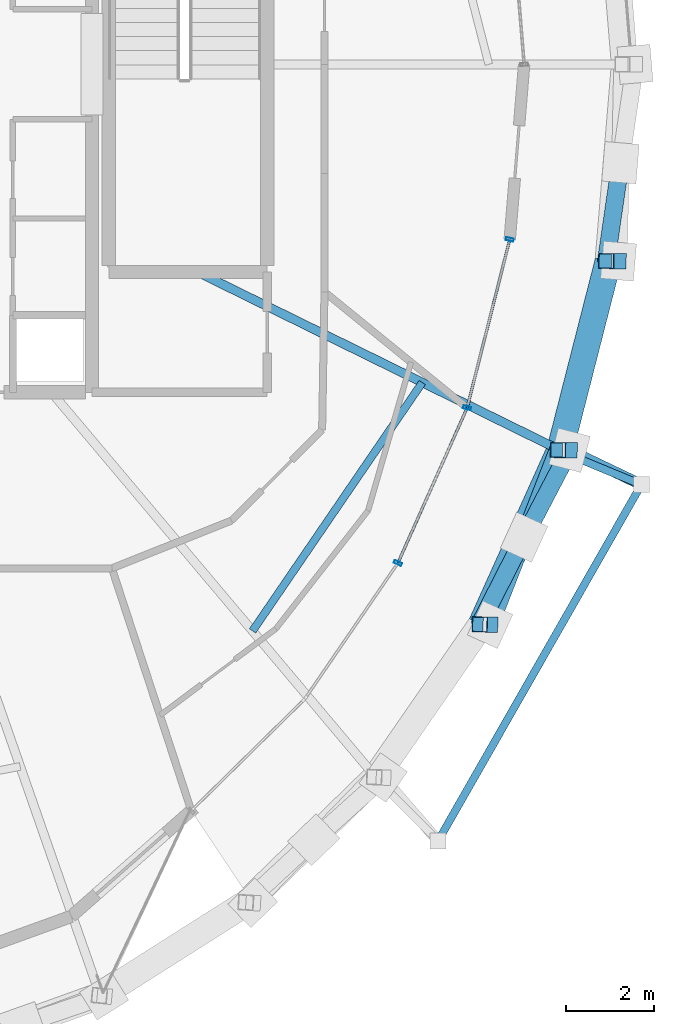
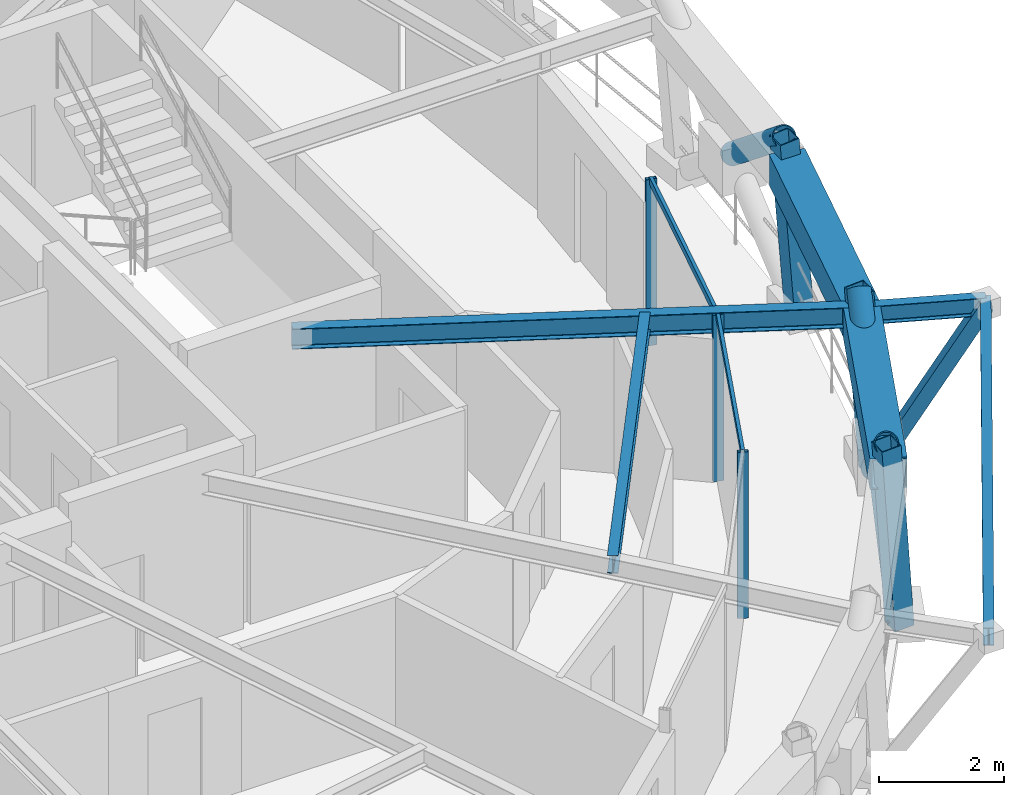
# One storey, part 4 of 14: 13 members, 6 beams, 1 element without a shape of its own.
"""IFC4 building model written with IfcOpenShell, lengths in metres."""

from ifc_helpers import new_model, si_unit, direction, frame, origin, origin_2d, place, context, subcontext, project, spatial, hollow_rectangle, hollow_circle, i_section, extrude, material, layer, layer_set, material_profile, profile_set, type_object, element, aggregate, save


model = new_model("IFC4")

# Units and contexts
model_context = context("Model", 3, precision=1e-05, world=origin(), true_north=direction((0.0, 1.0)))
body_context = subcontext(model_context, "Body", "Model", "MODEL_VIEW")
ifc_project = project(units=[si_unit("LENGTHUNIT", "METRE"), si_unit("AREAUNIT", "SQUARE_METRE"), si_unit("VOLUMEUNIT", "CUBIC_METRE"), si_unit("PLANEANGLEUNIT", "RADIAN"), si_unit("MASSUNIT", "GRAM", prefix="KILO")], contexts=[model_context])

# Site, building, storey
site_placement = place(None, origin())
site = spatial("IfcSite", under=ifc_project, at=site_placement, CompositionType="ELEMENT")
building_placement = place(site_placement, origin())
building = spatial("IfcBuilding", under=site, at=building_placement, Name="Veldorina Hangang Commons", CompositionType="ELEMENT")
storey_placement = place(building_placement, frame((0.0, 0.0, 294.0)))
storey = spatial("IfcBuildingStorey", under=building, at=storey_placement, Name="L77", CompositionType="ELEMENT", Elevation=294.0)

# Beams
ifc_material_1 = material(Name="Steel SM460-TMC", Category="steel")
ifc_material_profile_1 = material_profile(ifc_material_1, hollow_rectangle(XDim=0.60009765625, YDim=0.60009765625, WallThickness=0.030029296875, at=origin_2d()), Name="BOX-600x600x30")
ifc_profile_set_1 = profile_set([ifc_material_profile_1], Name="Steel SM460-TMC")
beam_type_1 = type_object("IfcBeamType", Name="BM-BLT600", PredefinedType="BEAM", material=ifc_profile_set_1)
beam_1_placement = place(storey_placement, frame((48.04541015625, 11.2763671875, 3.0), z_axis=(0.41066155676, 0.911787851312, 0.0), x_axis=(-0.911787851312, 0.41066155676, 0.0)))
element("IfcBeam", 1, at=beam_1_placement, inside=storey, type_object=beam_type_1, Name="L77 perimeter hoop ring beam 29", PredefinedType="BEAM", context=body_context, shape_type="SweptSolid", body=[
    extrude(hollow_rectangle(XDim=0.60009765625, YDim=0.60009765625, WallThickness=0.030029296875, at=origin_2d()), origin(), (0.0, 0.0, 1.0), 4.34228515625),
])
beam_2_placement = place(storey_placement, frame((49.82861328125, 15.235595703125, 3.0), z_axis=(0.24768784321, 0.968839889933, 0.0), x_axis=(-0.968839889933, 0.24768784321, 0.0)))
element("IfcBeam", 2, at=beam_2_placement, inside=storey, type_object=beam_type_1, Name="L77 perimeter hoop ring beam 30", PredefinedType="BEAM", context=body_context, shape_type="SweptSolid", body=[
    extrude(hollow_rectangle(XDim=0.60009765625, YDim=0.60009765625, WallThickness=0.030029296875, at=origin_2d()), origin(), (0.0, 0.0, 1.0), 4.4345703125),
])
ifc_material_2 = material(Name="Steel SM355-TMC", Category="steel")
ifc_material_profile_2 = material_profile(ifc_material_2, i_section(OverallWidth=0.175048828125, OverallDepth=0.35009765625, WebThickness=0.007080078125, FlangeThickness=0.010986328125, FilletRadius=0.012939453125, at=origin_2d()), Name="H-350x175x7x11")
ifc_profile_set_2 = profile_set([ifc_material_profile_2], Name="Steel SM355-TMC")
beam_type_2 = type_object("IfcBeamType", Name="BM-FG350", PredefinedType="BEAM", material=ifc_profile_set_2)
beam_3_placement = place(storey_placement, frame((49.78466796875, 15.236572265625, 3.125), z_axis=(0.923857166685, -0.382737423785, 0.0), x_axis=(0.382737423785, 0.923857166685, 0.0)))
element("IfcBeam", 3, at=beam_3_placement, inside=storey, type_object=beam_type_2, Name="L78 tree balcony 1 bracket beam B", PredefinedType="BEAM", context=body_context, shape_type="SweptSolid", body=[
    extrude(i_section(OverallWidth=0.175048828125, OverallDepth=0.35009765625, WebThickness=0.007080078125, FlangeThickness=0.010986328125, FilletRadius=0.012939453125, at=origin_2d()), origin(), (0.0, 0.0, 1.0), 2.050048828125),
])
beam_4_placement = place(storey_placement, frame((47.061279296875, 6.357666015625, 3.125), z_axis=(0.495503980878, 0.868605667109, 0.0), x_axis=(-0.868605667109, 0.495503980878, 0.0)))
element("IfcBeam", 4, at=beam_4_placement, inside=storey, type_object=beam_type_2, Name="L78 tree balcony 1 outer rim beam", PredefinedType="BEAM", context=body_context, shape_type="SweptSolid", body=[
    extrude(i_section(OverallWidth=0.175048828125, OverallDepth=0.35009765625, WebThickness=0.007080078125, FlangeThickness=0.010986328125, FilletRadius=0.012939453125, at=origin_2d()), origin(), (0.0, 0.0, 1.0), 9.318603515625),
])
ifc_material_profile_3 = material_profile(ifc_material_2, i_section(OverallWidth=0.199951171875, OverallDepth=0.39990234375, WebThickness=0.008056640625, FlangeThickness=0.012939453125, FilletRadius=0.012939453125, at=origin_2d()), Name="H-400x200x8x13")
ifc_profile_set_3 = profile_set([ifc_material_profile_3], Name="Steel SM355-TMC")
beam_type_3 = type_object("IfcBeamType", Name="BM-FG400", PredefinedType="BEAM", material=ifc_profile_set_3)
beam_5_placement = place(storey_placement, frame((41.6015625, 19.280029296875, 3.10009765625), z_axis=(0.897421532059, -0.441174108258, 0.0), x_axis=(0.441174108258, 0.897421532059, 0.0)))
element("IfcBeam", 5, at=beam_5_placement, inside=storey, type_object=beam_type_3, Name="L77 radial floor girder 16", PredefinedType="BEAM", context=body_context, shape_type="SweptSolid", body=[
    extrude(i_section(OverallWidth=0.199951171875, OverallDepth=0.39990234375, WebThickness=0.008056640625, FlangeThickness=0.012939453125, FilletRadius=0.012939453125, at=origin_2d()), origin(), (0.0, 0.0, 1.0), 9.16748046875),
])
ifc_material_profile_4 = material_profile(ifc_material_2, i_section(OverallWidth=0.175048828125, OverallDepth=0.35009765625, WebThickness=0.007080078125, FlangeThickness=0.010986328125, FilletRadius=0.012939453125, at=origin_2d()), Name="H-350x175x7x11")
ifc_profile_set_4 = profile_set([ifc_material_profile_4], Name="Steel SM355-TMC")
beam_type_4 = type_object("IfcBeamType", Name="BM-JST350", PredefinedType="JOIST", material=ifc_profile_set_4)
beam_6_placement = place(storey_placement, frame((42.845703125, 11.128662109375, 3.125), z_axis=(0.564199837989, 0.825638263898, 0.0), x_axis=(-0.825638263898, 0.564199837989, 0.0)))
element("IfcBeam", 6, at=beam_6_placement, inside=storey, type_object=beam_type_4, Name="L77 secondary floor joist 15", PredefinedType="JOIST", context=body_context, shape_type="SweptSolid", body=[
    extrude(i_section(OverallWidth=0.175048828125, OverallDepth=0.35009765625, WebThickness=0.007080078125, FlangeThickness=0.010986328125, FilletRadius=0.012939453125, at=origin_2d()), origin(), (0.0, 0.0, 1.0), 6.835693359375),
])

# Curtain wall, members
ifc_material_3 = material(Name="Glass Low-E Selective", Category="glass")
ifc_layer = layer(ifc_material_3, 0.179931640625)
ifc_layer_set = layer_set([ifc_layer], Name="Glass Low-E Selective")
curtain_wall_type = type_object("IfcCurtainWallType", Name="CW-SYS-Z3", PredefinedType="NOTDEFINED", material=ifc_layer_set)
curtain_wall_placement = place(storey_placement, origin())
curtain_wall = element("IfcCurtainWall", 7, at=curtain_wall_placement, inside=storey, type_object=curtain_wall_type, Name="L77 unitised curtain wall CW-L77-R2", PredefinedType="NOTDEFINED")
ifc_material_4 = material(Name="Aluminium Anodized AA6063-T6", Category="aluminium")
ifc_material_profile_5 = material_profile(ifc_material_4, hollow_rectangle(XDim=0.070068359375, YDim=0.179931640625, WallThickness=0.00390625, at=origin_2d()), Name="ALU-RHS-180x70x4")
ifc_profile_set_5 = profile_set([ifc_material_profile_5], Name="Aluminium Anodized AA6063-T6")
member_type_1 = type_object("IfcMemberType", Name="CW-MUL-180", PredefinedType="MULLION", material=ifc_profile_set_5)
member_1_placement = place(storey_placement, frame((46.148193359375, 12.6708984375, 0.0), z_axis=(0.0, 0.0, 1.0), x_axis=(0.407326500142, 0.913282608113, 0.0)))
member_1 = element("IfcMember", 8, at=member_1_placement, type_object=member_type_1, Name="CW-L77-R2 vertical mullion 2", PredefinedType="MULLION", context=body_context, shape_type="SweptSolid", body=[
    extrude(hollow_rectangle(XDim=0.070068359375, YDim=0.179931640625, WallThickness=0.00390625, at=origin_2d()), origin(), (0.0, 0.0, 1.0), 3.260009765625),
])
member_2_placement = place(storey_placement, frame((47.720703125, 16.1962890625, 0.0), z_axis=(0.0, 0.0, 1.0), x_axis=(0.245391985011, 0.969423939096, 0.0)))
member_2 = element("IfcMember", 9, at=member_2_placement, type_object=member_type_1, Name="CW-L77-R2 vertical mullion 3", PredefinedType="MULLION", context=body_context, shape_type="SweptSolid", body=[
    extrude(hollow_rectangle(XDim=0.070068359375, YDim=0.179931640625, WallThickness=0.00390625, at=origin_2d()), origin(), (0.0, 0.0, 1.0), 3.260009765625),
])
member_3_placement = place(storey_placement, frame((48.68896484375, 20.021728515625, 0.0), z_axis=(0.0, 0.0, 1.0), x_axis=(-0.245391985011, -0.969423939096, 0.0)))
member_3 = element("IfcMember", 10, at=member_3_placement, type_object=member_type_1, Name="CW-L77-R2 vertical mullion 4", PredefinedType="MULLION", context=body_context, shape_type="SweptSolid", body=[
    extrude(hollow_rectangle(XDim=0.070068359375, YDim=0.179931640625, WallThickness=0.00390625, at=origin_2d()), origin(), (0.0, 0.0, 1.0), 3.260009765625),
])
ifc_material_profile_6 = material_profile(ifc_material_4, hollow_rectangle(XDim=0.06005859375, YDim=0.139892578125, WallThickness=0.00341796875, at=origin_2d()), Name="ALU-RHS-140x60x3.5")
ifc_profile_set_6 = profile_set([ifc_material_profile_6], Name="Aluminium Anodized AA6063-T6")
member_type_2 = type_object("IfcMemberType", Name="CW-TRN-140", PredefinedType="USERDEFINED", material=ifc_profile_set_6)
member_4_placement = place(storey_placement, frame((46.148193359375, 12.6708984375, 3.219970703125), z_axis=(0.40736454219, 0.913265640308, 0.0), x_axis=(-0.913265640308, 0.40736454219, 0.0)))
member_4 = element("IfcMember", 11, at=member_4_placement, type_object=member_type_2, Name="CW-L77-R2 facet 3 transom 1", ObjectType="TRANSOM", PredefinedType="USERDEFINED", context=body_context, shape_type="SweptSolid", body=[
    extrude(hollow_rectangle(XDim=0.06005859375, YDim=0.139892578125, WallThickness=0.00341796875, at=origin_2d()), origin(), (0.0, 0.0, 1.0), 3.860107421875),
])
member_5_placement = place(storey_placement, frame((47.720703125, 16.1962890625, 3.219970703125), z_axis=(0.245373291739, 0.969428670765, 0.0), x_axis=(-0.969428670765, 0.245373291739, 0.0)))
member_5 = element("IfcMember", 12, at=member_5_placement, type_object=member_type_2, Name="CW-L77-R2 facet 4 transom 1", ObjectType="TRANSOM", PredefinedType="USERDEFINED", context=body_context, shape_type="SweptSolid", body=[
    extrude(hollow_rectangle(XDim=0.06005859375, YDim=0.139892578125, WallThickness=0.00341796875, at=origin_2d()), origin(), (0.0, 0.0, 1.0), 3.946044921875),
])
aggregate(curtain_wall, [member_1, member_2, member_3, member_4, member_5])

# Members
ifc_material_profile_7 = material_profile(ifc_material_2, hollow_circle(Radius=0.199951171875, WallThickness=0.02001953125, at=origin_2d()), Name="CHS-400x20")
ifc_profile_set_7 = profile_set([ifc_material_profile_7], Name="Steel SM355-TMC")
member_type_3 = type_object("IfcMemberType", Name="DG-CHS400", PredefinedType="BRACE", material=ifc_profile_set_7)
member_6_placement = place(storey_placement, frame((48.24365234375, 11.270751953125, 0.0), z_axis=(0.27649304039, 0.711557818138, 0.645938905828), x_axis=(-0.932103708122, 0.362191492592, 0.0)))
element("IfcMember", 13, at=member_6_placement, inside=storey, type_object=member_type_3, Name="L77 continuous perimeter diagrid brace 29", PredefinedType="BRACE", context=body_context, shape_type="SweptSolid", body=[
    extrude(hollow_circle(Radius=0.199951171875, WallThickness=0.02001953125, at=origin_2d()), origin(), (0.0, 0.0, 1.0), 5.573486328125),
])
member_7_placement = place(storey_placement, frame((50.048828125, 15.23193359375, 0.0), z_axis=(-0.360478942244, -0.689023180179, 0.628730458443), x_axis=(0.8860629205, -0.463564991037, 0.0)))
element("IfcMember", 14, at=member_7_placement, inside=storey, type_object=member_type_3, Name="L77 split perimeter diagrid lower brace 30", PredefinedType="BRACE", context=body_context, shape_type="SweptSolid", body=[
    extrude(hollow_circle(Radius=0.199951171875, WallThickness=0.02001953125, at=origin_2d()), origin(), (0.0, 0.0, 1.0), 2.866943359375),
])
member_8_placement = place(storey_placement, frame((49.015380859375, 13.256591796875, 1.802490234375), z_axis=(-0.353231202547, -0.692538176311, 0.628982187267), x_axis=(0.890816332427, -0.454363578955, 0.0)))
element("IfcMember", 15, at=member_8_placement, inside=storey, type_object=member_type_3, Name="L77 split perimeter diagrid upper brace 30", PredefinedType="BRACE", context=body_context, shape_type="SweptSolid", body=[
    extrude(hollow_circle(Radius=0.199951171875, WallThickness=0.02001953125, at=origin_2d()), origin(), (0.0, 0.0, 1.0), 2.85791015625),
])
member_9_placement = place(storey_placement, frame((51.205322265625, 21.765625, 1.800537109375), z_axis=(-0.112665732622, -0.773688781004, 0.623467804174), x_axis=(0.989562890954, -0.144101647617, 0.0)))
element("IfcMember", 16, at=member_9_placement, inside=storey, type_object=member_type_3, Name="L77 split perimeter diagrid upper brace 00", PredefinedType="BRACE", context=body_context, shape_type="SweptSolid", body=[
    extrude(hollow_circle(Radius=0.199951171875, WallThickness=0.02001953125, at=origin_2d()), origin(), (0.0, 0.0, 1.0), 2.886474609375),
])
ifc_material_profile_8 = material_profile(ifc_material_2, hollow_rectangle(XDim=0.25, YDim=0.25, WallThickness=0.011962890625, at=origin_2d()), Name="SHS-250x250x12")
ifc_profile_set_8 = profile_set([ifc_material_profile_8], Name="Steel SM355-TMC")
member_type_4 = type_object("IfcMemberType", Name="STR-SHS250", PredefinedType="STRUT", material=ifc_profile_set_8)
member_10_placement = place(storey_placement, frame((50.048828125, 15.23193359375, 0.0), z_axis=(0.451517265452, -0.216087127489, 0.865701168032), x_axis=(0.431689749928, 0.902022150397, 0.0)))
element("IfcMember", 17, at=member_10_placement, inside=storey, type_object=member_type_4, Name="L78 tree balcony 1 raking knee strut B", PredefinedType="STRUT", context=body_context, shape_type="SweptSolid", body=[
    extrude(hollow_rectangle(XDim=0.25, YDim=0.25, WallThickness=0.011962890625, at=origin_2d()), origin(), (0.0, 0.0, 1.0), 3.60986328125),
])
ifc_material_profile_9 = material_profile(ifc_material_2, hollow_rectangle(XDim=0.35009765625, YDim=0.35009765625, WallThickness=0.01611328125, at=origin_2d()), Name="SHS-350x350x16")
ifc_profile_set_9 = profile_set([ifc_material_profile_9], Name="Steel SM355-TMC")
member_type_5 = type_object("IfcMemberType", Name="STR-SHS350", PredefinedType="STRUT", material=ifc_profile_set_9)
member_11_placement = place(storey_placement, frame((48.24365234375, 11.270751953125, 0.0), z_axis=(-0.065908083626, 0.001827020799, 0.997824025822), x_axis=(-0.0277100945, -0.999616001604, 0.0)))
element("IfcMember", 18, at=member_11_placement, inside=storey, type_object=member_type_5, Name="L77 perimeter ring node post 29", PredefinedType="STRUT", context=body_context, shape_type="SweptSolid", body=[
    extrude(hollow_rectangle(XDim=0.35009765625, YDim=0.35009765625, WallThickness=0.01611328125, at=origin_2d()), origin(), (0.0, 0.0, 1.0), 3.60791015625),
])
member_12_placement = place(storey_placement, frame((50.048828125, 15.23193359375, 0.0), z_axis=(-0.073179036176, 0.001285029286, 0.997317992099), x_axis=(-0.017557367184, -0.999845857549, 0.0)))
element("IfcMember", 19, at=member_12_placement, inside=storey, type_object=member_type_5, Name="L77 perimeter ring node post 30", PredefinedType="STRUT", context=body_context, shape_type="SweptSolid", body=[
    extrude(hollow_rectangle(XDim=0.35009765625, YDim=0.35009765625, WallThickness=0.01611328125, at=origin_2d()), origin(), (0.0, 0.0, 1.0), 3.60986328125),
])
member_13_placement = place(storey_placement, frame((51.16064453125, 19.530029296875, 0.0), z_axis=(-0.077683948184, 0.000676100506, 0.996977806715), x_axis=(-0.008702890593, -0.999962129131, 0.0)))
element("IfcMember", 20, at=member_13_placement, inside=storey, type_object=member_type_5, Name="L77 perimeter ring node post 31", PredefinedType="STRUT", context=body_context, shape_type="SweptSolid", body=[
    extrude(hollow_rectangle(XDim=0.35009765625, YDim=0.35009765625, WallThickness=0.01611328125, at=origin_2d()), origin(), (0.0, 0.0, 1.0), 3.611083984375),
])

save(model, "model.ifc")
